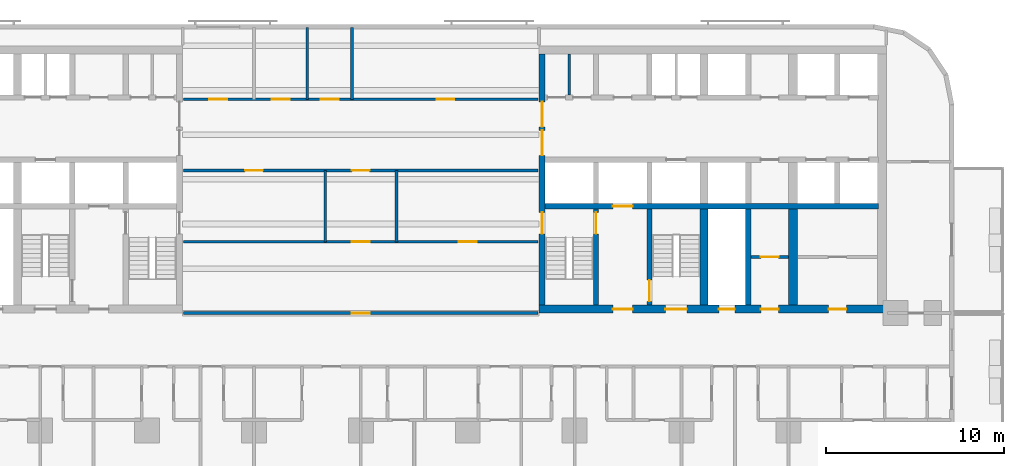
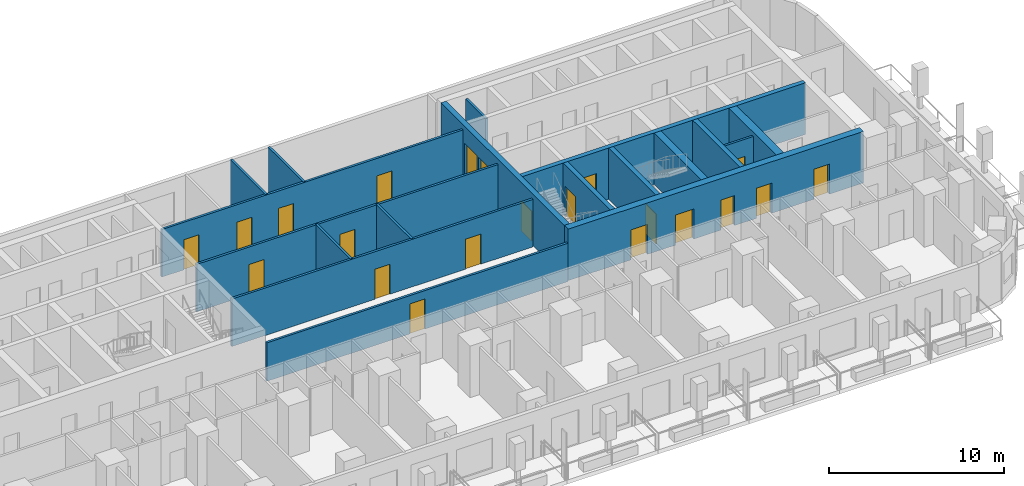
# One storey, part 7 of 15: 21 doors, 18 walls, 21 openings.
"""IFC4 building model written with IfcOpenShell, lengths in metres."""

from ifc_helpers import new_model, si_unit, direction, frame, frame_2d, origin, place, context, subcontext, project, spatial, rectangle, extrude, material, layer, layer_set, type_object, element, fill, save


model = new_model("IFC4")

# Units and contexts
model_context = context("Model", 3, precision=1e-05, world=origin(), true_north=direction((0.0, 1.0)))
body_context = subcontext(model_context, "Body", "Model", "MODEL_VIEW")
ifc_project = project(units=[si_unit("LENGTHUNIT", "METRE"), si_unit("AREAUNIT", "SQUARE_METRE"), si_unit("VOLUMEUNIT", "CUBIC_METRE"), si_unit("PLANEANGLEUNIT", "RADIAN"), si_unit("MASSUNIT", "GRAM", prefix="KILO")], contexts=[model_context])

# Site, building, storey
site_placement = place(None, origin())
site = spatial("IfcSite", under=ifc_project, at=site_placement, CompositionType="ELEMENT")
building_placement = place(site_placement, origin())
building = spatial("IfcBuilding", under=site, at=building_placement, Name="Torana Hotel and Residences", CompositionType="ELEMENT")
storey_placement = place(building_placement, frame((0.0, 0.0, 67.199951171875)))
storey = spatial("IfcBuildingStorey", under=building, at=storey_placement, Name="L16", CompositionType="ELEMENT", Elevation=67.199951171875)

# Wall, opening, door
ifc_material_1 = material(Name="Concrete C80/95", Category="concrete")
ifc_layer_1 = layer(ifc_material_1, 0.300048828125)
ifc_layer_set_1 = layer_set([ifc_layer_1], Name="CORE WALL 300 C80/95")
wall_type_1 = type_object("IfcWallType", Name="CORE WALL 300 C80/95", PredefinedType="SHEAR", material=ifc_layer_set_1)
wall_1_placement = place(storey_placement, frame((10.35009765625, -9.0, 0.0), z_axis=(0.0, 0.0, 1.0), x_axis=(1.0, 0.0, 0.0)))
wall_1 = element("IfcWall", 1, at=wall_1_placement, inside=storey, type_object=wall_type_1, Name="Core wall E band", PredefinedType="SHEAR", context=body_context, shape_type="SweptSolid", body=[
    extrude(rectangle(XDim=18.699951171875, YDim=0.300048828125, at=frame_2d((9.35009765625, 0.0))), origin(), (0.0, 0.0, 1.0), 3.60009765625),
])
opening_1_placement = place(wall_1_placement, frame((3.800048828125, 0.0, 0.0)))
opening_1 = element("IfcOpeningElement", 2, at=opening_1_placement, cuts=wall_1, Name="Opening LD", PredefinedType="OPENING", context=body_context, shape_type="SweptSolid", body=[
    extrude(rectangle(XDim=1.10009765625, YDim=2.10009765625, at=frame_2d((0.550048828125, 1.050048828125))), frame((0.0, 0.159912109375, 0.0), z_axis=(0.0, -1.0, 0.0), x_axis=(1.0, 0.0, 0.0)), (0.0, 0.0, 1.0), 0.320068359375),
])
ifc_material_2 = material(Name="Stainless steel 316", Category="steel")
door_type_1 = type_object("IfcDoorType", Name="LIFT LANDING DOOR LD 1100x2100", OperationType="DOUBLE_DOOR_SLIDING", PredefinedType="USERDEFINED", material=ifc_material_2)
door_1_placement = place(opening_1_placement, origin())
door_1 = element("IfcDoor", 3, at=door_1_placement, inside=storey, type_object=door_type_1, Name="Lift landing door FF2 L16", ObjectType="LIFT LANDING DOOR", OperationType="DOUBLE_DOOR_SLIDING", OverallHeight=2.10009765625, OverallWidth=1.10009765625, PredefinedType="USERDEFINED", context=body_context, shape_type="SweptSolid", body=[
    extrude(rectangle(XDim=1.10009765625, YDim=2.10009765625, at=frame_2d((0.550048828125, 1.050048828125))), frame((0.0, 0.02490234375, 0.0), z_axis=(0.0, -1.0, 0.0), x_axis=(1.0, 0.0, 0.0)), (0.0, 0.0, 1.0), 0.050048828125),
])
fill(opening_1, door_1)

wall_2_placement = place(storey_placement, frame((13.199951171875, -14.550048828125, 0.0), z_axis=(0.0, 0.0, 1.0), x_axis=(0.0, 1.0, 0.0)))
wall_2 = element("IfcWall", 4, at=wall_2_placement, inside=storey, type_object=wall_type_1, Name="Core wall E x3.05-band", PredefinedType="SHEAR", context=body_context, shape_type="SweptSolid", body=[
    extrude(rectangle(XDim=5.400146484375, YDim=0.300048828125, at=frame_2d((2.7001953125, 0.0))), origin(), (0.0, 0.0, 1.0), 3.60009765625),
])
opening_2_placement = place(wall_2_placement, frame((4.0, 0.0, 0.0)))
opening_2 = element("IfcOpeningElement", 5, at=opening_2_placement, cuts=wall_2, Name="Opening L16-33", PredefinedType="OPENING", context=body_context, shape_type="SweptSolid", body=[
    extrude(rectangle(XDim=1.199951171875, YDim=2.10009765625, at=frame_2d((0.60009765625, 1.050048828125))), frame((0.0, 0.159912109375, 0.0), z_axis=(0.0, -1.0, 0.0), x_axis=(1.0, 0.0, 0.0)), (0.0, 0.0, 1.0), 0.320068359375),
])
ifc_material_3 = material(Name="Steel S235", Category="steel")
door_type_2 = type_object("IfcDoorType", Name="STAIR FIRE DOOR D3 1200x2100", OperationType="SINGLE_SWING_LEFT", PredefinedType="DOOR", material=ifc_material_3)
door_2_placement = place(opening_2_placement, origin())
door_2 = element("IfcDoor", 6, at=door_2_placement, inside=storey, type_object=door_type_2, Name="Stair-A-lobby door L16", OperationType="SINGLE_SWING_LEFT", OverallHeight=2.10009765625, OverallWidth=1.199951171875, PredefinedType="DOOR", context=body_context, shape_type="SweptSolid", body=[
    extrude(rectangle(XDim=1.199951171875, YDim=2.10009765625, at=frame_2d((0.60009765625, 1.050048828125))), frame((0.0, 0.02490234375, 0.0), z_axis=(0.0, -1.0, 0.0), x_axis=(1.0, 0.0, 0.0)), (0.0, 0.0, 1.0), 0.050048828125),
])
fill(opening_2, door_2)

wall_3_placement = place(storey_placement, frame((16.199951171875, -14.550048828125, 0.0), z_axis=(0.0, 0.0, 1.0), x_axis=(0.0, 1.0, 0.0)))
wall_3 = element("IfcWall", 7, at=wall_3_placement, inside=storey, type_object=wall_type_1, Name="Core wall E x6.05-band", PredefinedType="SHEAR", context=body_context, shape_type="SweptSolid", body=[
    extrude(rectangle(XDim=5.400146484375, YDim=0.300048828125, at=frame_2d((2.7001953125, 0.0))), origin(), (0.0, 0.0, 1.0), 3.60009765625),
])
opening_3_placement = place(wall_3_placement, frame((0.199951171875, 0.0, 0.0)))
opening_3 = element("IfcOpeningElement", 8, at=opening_3_placement, cuts=wall_3, Name="Opening L16-34", PredefinedType="OPENING", context=body_context, shape_type="SweptSolid", body=[
    extrude(rectangle(XDim=1.199951171875, YDim=2.10009765625, at=frame_2d((0.60009765625, 1.050048828125))), frame((0.0, 0.159912109375, 0.0), z_axis=(0.0, -1.0, 0.0), x_axis=(1.0, 0.0, 0.0)), (0.0, 0.0, 1.0), 0.320068359375),
])
door_3_placement = place(opening_3_placement, frame((0.60009765625, 0.0, 0.0), z_axis=(0.0, 0.0, 1.0), x_axis=(-1.0, 0.0, 0.0)))
door_3 = element("IfcDoor", 9, at=door_3_placement, inside=storey, type_object=door_type_2, Name="Stair-B-lobby door L16", OperationType="SINGLE_SWING_LEFT", OverallHeight=2.10009765625, OverallWidth=1.199951171875, PredefinedType="DOOR", context=body_context, shape_type="SweptSolid", body=[
    extrude(rectangle(XDim=1.199951171875, YDim=2.10009765625, at=frame_2d((0.0, 1.050048828125))), frame((0.0, -0.02490234375, 0.0), z_axis=(0.0, 1.0, 0.0), x_axis=(-1.0, 0.0, 0.0)), (0.0, 0.0, 1.0), 0.050048828125),
])
fill(opening_3, door_3)

# Wall
wall_4_placement = place(storey_placement, frame((21.75, -14.550048828125, 0.0), z_axis=(0.0, 0.0, 1.0), x_axis=(0.0, 1.0, 0.0)))
element("IfcWall", 10, at=wall_4_placement, inside=storey, type_object=wall_type_1, Name="Core wall E mm-band", PredefinedType="SHEAR", context=body_context, shape_type="SweptSolid", body=[
    extrude(rectangle(XDim=5.400146484375, YDim=0.300048828125, at=frame_2d((2.7001953125, 0.0))), origin(), (0.0, 0.0, 1.0), 3.60009765625),
])

# Wall, openings, doors
ifc_material_4 = material(Name="Concrete C80/95", Category="concrete")
ifc_layer_2 = layer(ifc_material_4, 0.35009765625)
ifc_layer_set_2 = layer_set([ifc_layer_2], Name="CORE WALL 350 C80/95")
wall_type_2 = type_object("IfcWallType", Name="CORE WALL 350 C80/95", PredefinedType="SHEAR", material=ifc_layer_set_2)
wall_5_placement = place(storey_placement, frame((10.175048828125, -14.550048828125, 0.0), z_axis=(0.0, 0.0, 1.0), x_axis=(0.0, 1.0, 0.0)))
wall_5 = element("IfcWall", 11, at=wall_5_placement, inside=storey, type_object=wall_type_2, Name="Core wall E arch", PredefinedType="SHEAR", context=body_context, shape_type="SweptSolid", body=[
    extrude(rectangle(XDim=14.10009765625, YDim=0.35009765625, at=frame_2d((7.050048828125, 0.0))), origin(), (0.0, 0.0, 1.0), 3.60009765625),
])
opening_4_placement = place(wall_5_placement, frame((8.39990234375, 0.0, 0.0)))
opening_4 = element("IfcOpeningElement", 12, at=opening_4_placement, cuts=wall_5, Name="Opening L16-18", PredefinedType="OPENING", context=body_context, shape_type="SweptSolid", body=[
    extrude(rectangle(XDim=1.39990234375, YDim=2.39990234375, at=frame_2d((0.699951171875, 1.199951171875))), frame((0.0, 0.18505859375, 0.0), z_axis=(0.0, -1.0, 0.0), x_axis=(1.0, 0.0, 0.0)), (0.0, 0.0, 1.0), 0.3701171875),
])
opening_5_placement = place(wall_5_placement, frame((10.0, 0.0, 0.0)))
opening_5 = element("IfcOpeningElement", 13, at=opening_5_placement, cuts=wall_5, Name="Opening L16-19", PredefinedType="OPENING", context=body_context, shape_type="SweptSolid", body=[
    extrude(rectangle(XDim=1.39990234375, YDim=2.39990234375, at=frame_2d((0.699951171875, 1.199951171875))), frame((0.0, 0.18505859375, 0.0), z_axis=(0.0, -1.0, 0.0), x_axis=(1.0, 0.0, 0.0)), (0.0, 0.0, 1.0), 0.3701171875),
])
opening_6_placement = place(wall_5_placement, frame((4.0, 0.0, 0.0)))
opening_6 = element("IfcOpeningElement", 14, at=opening_6_placement, cuts=wall_5, Name="Opening L16-20", PredefinedType="OPENING", context=body_context, shape_type="SweptSolid", body=[
    extrude(rectangle(XDim=1.199951171875, YDim=2.10009765625, at=frame_2d((0.60009765625, 1.050048828125))), frame((0.0, 0.18505859375, 0.0), z_axis=(0.0, -1.0, 0.0), x_axis=(1.0, 0.0, 0.0)), (0.0, 0.0, 1.0), 0.3701171875),
])
ifc_material_5 = material(Name="Steel S235", Category="steel")
door_type_3 = type_object("IfcDoorType", Name="LOBBY FIRE DOOR D4 1400x2400", OperationType="DOUBLE_DOOR_SINGLE_SWING", PredefinedType="DOOR", material=ifc_material_5)
door_4_placement = place(opening_4_placement, origin())
door_4 = element("IfcDoor", 15, at=door_4_placement, inside=storey, type_object=door_type_3, Name="Lobby-1 door L16", OperationType="DOUBLE_DOOR_SINGLE_SWING", OverallHeight=2.39990234375, OverallWidth=1.39990234375, PredefinedType="DOOR", context=body_context, shape_type="SweptSolid", body=[
    extrude(rectangle(XDim=1.39990234375, YDim=2.39990234375, at=frame_2d((0.699951171875, 1.199951171875))), frame((0.0, 0.02490234375, 0.0), z_axis=(0.0, -1.0, 0.0), x_axis=(1.0, 0.0, 0.0)), (0.0, 0.0, 1.0), 0.050048828125),
])
fill(opening_4, door_4)
door_5_placement = place(opening_5_placement, origin())
door_5 = element("IfcDoor", 16, at=door_5_placement, inside=storey, type_object=door_type_3, Name="Lobby-2 door L16", OperationType="DOUBLE_DOOR_SINGLE_SWING", OverallHeight=2.39990234375, OverallWidth=1.39990234375, PredefinedType="DOOR", context=body_context, shape_type="SweptSolid", body=[
    extrude(rectangle(XDim=1.39990234375, YDim=2.39990234375, at=frame_2d((0.699951171875, 1.199951171875))), frame((0.0, 0.02490234375, 0.0), z_axis=(0.0, -1.0, 0.0), x_axis=(1.0, 0.0, 0.0)), (0.0, 0.0, 1.0), 0.050048828125),
])
fill(opening_5, door_5)
door_6_placement = place(opening_6_placement, frame((0.60009765625, 0.0, 0.0), z_axis=(0.0, 0.0, 1.0), x_axis=(-1.0, 0.0, 0.0)))
door_6 = element("IfcDoor", 17, at=door_6_placement, inside=storey, type_object=door_type_2, Name="Stair-A door L16", OperationType="SINGLE_SWING_RIGHT", OverallHeight=2.10009765625, OverallWidth=1.199951171875, PredefinedType="DOOR", context=body_context, shape_type="SweptSolid", body=[
    extrude(rectangle(XDim=1.199951171875, YDim=2.10009765625, at=frame_2d((0.0, 1.050048828125))), frame((0.0, -0.02490234375, 0.0), z_axis=(0.0, 1.0, 0.0), x_axis=(-1.0, 0.0, 0.0)), (0.0, 0.0, 1.0), 0.050048828125),
])
fill(opening_6, door_6)

ifc_material_6 = material(Name="Concrete C80/95", Category="concrete")
ifc_layer_3 = layer(ifc_material_6, 0.449951171875)
ifc_layer_set_3 = layer_set([ifc_layer_3], Name="CORE WALL 450 C80/95")
wall_type_3 = type_object("IfcWallType", Name="CORE WALL 450 C80/95", PredefinedType="SHEAR", material=ifc_layer_set_3)
wall_6_placement = place(storey_placement, frame((10.0, -14.77490234375, 0.0), z_axis=(0.0, 0.0, 1.0), x_axis=(1.0, 0.0, 0.0)))
wall_6 = element("IfcWall", 18, at=wall_6_placement, inside=storey, type_object=wall_type_3, Name="Core wall E front", PredefinedType="SHEAR", context=body_context, shape_type="SweptSolid", body=[
    extrude(rectangle(XDim=19.5, YDim=0.449951171875, at=frame_2d((9.75, 0.0))), origin(), (0.0, 0.0, 1.0), 3.60009765625),
])
opening_7_placement = place(wall_6_placement, frame((7.10009765625, 0.0, 0.0)))
opening_7 = element("IfcOpeningElement", 19, at=opening_7_placement, cuts=wall_6, Name="Opening L16-21", PredefinedType="OPENING", context=body_context, shape_type="SweptSolid", body=[
    extrude(rectangle(XDim=1.199951171875, YDim=2.10009765625, at=frame_2d((0.60009765625, 1.050048828125))), frame((0.0, 0.23486328125, 0.0), z_axis=(0.0, -1.0, 0.0), x_axis=(1.0, 0.0, 0.0)), (0.0, 0.0, 1.0), 0.469970703125),
])
opening_8_placement = place(wall_6_placement, frame((4.14990234375, 0.0, 0.0)))
opening_8 = element("IfcOpeningElement", 20, at=opening_8_placement, cuts=wall_6, Name="Opening L16-22", PredefinedType="OPENING", context=body_context, shape_type="SweptSolid", body=[
    extrude(rectangle(XDim=1.10009765625, YDim=2.10009765625, at=frame_2d((0.550048828125, 1.050048828125))), frame((0.0, 0.23486328125, 0.0), z_axis=(0.0, -1.0, 0.0), x_axis=(1.0, 0.0, 0.0)), (0.0, 0.0, 1.0), 0.469970703125),
])
opening_9_placement = place(wall_6_placement, frame((10.10009765625, 0.0, 0.0)))
opening_9 = element("IfcOpeningElement", 21, at=opening_9_placement, cuts=wall_6, Name="Opening L16-23", PredefinedType="OPENING", context=body_context, shape_type="SweptSolid", body=[
    extrude(rectangle(XDim=0.89990234375, YDim=2.10009765625, at=frame_2d((0.449951171875, 1.050048828125))), frame((0.0, 0.23486328125, 0.0), z_axis=(0.0, -1.0, 0.0), x_axis=(1.0, 0.0, 0.0)), (0.0, 0.0, 1.0), 0.469970703125),
])
opening_10_placement = place(wall_6_placement, frame((12.449951171875, 0.0, 0.0)))
opening_10 = element("IfcOpeningElement", 22, at=opening_10_placement, cuts=wall_6, Name="Opening L16-24", PredefinedType="OPENING", context=body_context, shape_type="SweptSolid", body=[
    extrude(rectangle(XDim=1.0, YDim=2.10009765625, at=frame_2d((0.5, 1.050048828125))), frame((0.0, 0.23486328125, 0.0), z_axis=(0.0, -1.0, 0.0), x_axis=(1.0, 0.0, 0.0)), (0.0, 0.0, 1.0), 0.469970703125),
])
opening_11_placement = place(wall_6_placement, frame((16.25, 0.0, 0.0)))
opening_11 = element("IfcOpeningElement", 23, at=opening_11_placement, cuts=wall_6, Name="Opening L16-25", PredefinedType="OPENING", context=body_context, shape_type="SweptSolid", body=[
    extrude(rectangle(XDim=1.0, YDim=2.10009765625, at=frame_2d((0.5, 1.050048828125))), frame((0.0, 0.23486328125, 0.0), z_axis=(0.0, -1.0, 0.0), x_axis=(1.0, 0.0, 0.0)), (0.0, 0.0, 1.0), 0.469970703125),
])
ifc_material_7 = material(Name="Steel S235", Category="steel")
door_type_4 = type_object("IfcDoorType", Name="CORE ROOM FIRE DOOR D14 1000x2100", OperationType="SINGLE_SWING_LEFT", PredefinedType="DOOR", material=ifc_material_7)
door_7_placement = place(opening_10_placement, origin())
door_7 = element("IfcDoor", 24, at=door_7_placement, inside=storey, type_object=door_type_4, Name="M-Room-B door L16", OperationType="SINGLE_SWING_RIGHT", OverallHeight=2.10009765625, OverallWidth=1.0, PredefinedType="DOOR", context=body_context, shape_type="SweptSolid", body=[
    extrude(rectangle(XDim=1.0, YDim=2.10009765625, at=frame_2d((0.5, 1.050048828125))), frame((0.0, 0.02490234375, 0.0), z_axis=(0.0, -1.0, 0.0), x_axis=(1.0, 0.0, 0.0)), (0.0, 0.0, 1.0), 0.050048828125),
])
fill(opening_10, door_7)
door_8_placement = place(opening_11_placement, origin())
door_8 = element("IfcDoor", 25, at=door_8_placement, inside=storey, type_object=door_type_4, Name="L-B door L16", OperationType="SINGLE_SWING_RIGHT", OverallHeight=2.10009765625, OverallWidth=1.0, PredefinedType="DOOR", context=body_context, shape_type="SweptSolid", body=[
    extrude(rectangle(XDim=1.0, YDim=2.10009765625, at=frame_2d((0.5, 1.050048828125))), frame((0.0, 0.02490234375, 0.0), z_axis=(0.0, -1.0, 0.0), x_axis=(1.0, 0.0, 0.0)), (0.0, 0.0, 1.0), 0.050048828125),
])
fill(opening_11, door_8)
ifc_material_8 = material(Name="Steel S235", Category="steel")
door_type_5 = type_object("IfcDoorType", Name="FIRE-FIGHTING LOBBY DOOR D8 1100x2100", OperationType="SINGLE_SWING_LEFT", PredefinedType="DOOR", material=ifc_material_8)
door_9_placement = place(opening_8_placement, origin())
door_9 = element("IfcDoor", 26, at=door_9_placement, inside=storey, type_object=door_type_5, Name="FF-lobby door L16", OperationType="SINGLE_SWING_RIGHT", OverallHeight=2.10009765625, OverallWidth=1.10009765625, PredefinedType="DOOR", context=body_context, shape_type="SweptSolid", body=[
    extrude(rectangle(XDim=1.10009765625, YDim=2.10009765625, at=frame_2d((0.550048828125, 1.050048828125))), frame((0.0, 0.02490234375, 0.0), z_axis=(0.0, -1.0, 0.0), x_axis=(1.0, 0.0, 0.0)), (0.0, 0.0, 1.0), 0.050048828125),
])
fill(opening_8, door_9)
ifc_material_9 = material(Name="Steel S235", Category="steel")
door_type_6 = type_object("IfcDoorType", Name="RISER ACCESS DOOR D5 900x2100", OperationType="SINGLE_SWING_LEFT", PredefinedType="DOOR", material=ifc_material_9)
door_10_placement = place(opening_9_placement, origin())
door_10 = element("IfcDoor", 27, at=door_10_placement, inside=storey, type_object=door_type_6, Name="M-Riser door L16", OperationType="SINGLE_SWING_RIGHT", OverallHeight=2.10009765625, OverallWidth=0.89990234375, PredefinedType="DOOR", context=body_context, shape_type="SweptSolid", body=[
    extrude(rectangle(XDim=0.89990234375, YDim=2.10009765625, at=frame_2d((0.449951171875, 1.050048828125))), frame((0.0, 0.02490234375, 0.0), z_axis=(0.0, -1.0, 0.0), x_axis=(1.0, 0.0, 0.0)), (0.0, 0.0, 1.0), 0.050048828125),
])
fill(opening_9, door_10)
door_11_placement = place(opening_7_placement, origin())
door_11 = element("IfcDoor", 28, at=door_11_placement, inside=storey, type_object=door_type_2, Name="Stair-B door L16", OperationType="SINGLE_SWING_RIGHT", OverallHeight=2.10009765625, OverallWidth=1.199951171875, PredefinedType="DOOR", context=body_context, shape_type="SweptSolid", body=[
    extrude(rectangle(XDim=1.199951171875, YDim=2.10009765625, at=frame_2d((0.60009765625, 1.050048828125))), frame((0.0, 0.02490234375, 0.0), z_axis=(0.0, -1.0, 0.0), x_axis=(1.0, 0.0, 0.0)), (0.0, 0.0, 1.0), 0.050048828125),
])
fill(opening_7, door_11)

# Walls
wall_7_placement = place(storey_placement, frame((19.27490234375, -14.550048828125, 0.0), z_axis=(0.0, 0.0, 1.0), x_axis=(0.0, 1.0, 0.0)))
element("IfcWall", 29, at=wall_7_placement, inside=storey, type_object=wall_type_3, Name="Core wall E hm-band", PredefinedType="SHEAR", context=body_context, shape_type="SweptSolid", body=[
    extrude(rectangle(XDim=5.400146484375, YDim=0.449951171875, at=frame_2d((2.7001953125, 0.0))), origin(), (0.0, 0.0, 1.0), 3.60009765625),
])
ifc_material_10 = material(Name="Concrete C80/95", Category="concrete")
ifc_layer_4 = layer(ifc_material_10, 0.5)
ifc_layer_set_4 = layer_set([ifc_layer_4], Name="CORE WALL 500 C80/95")
wall_type_4 = type_object("IfcWallType", Name="CORE WALL 500 C80/95", PredefinedType="SHEAR", material=ifc_layer_set_4)
wall_8_placement = place(storey_placement, frame((24.25, -14.550048828125, 0.0), z_axis=(0.0, 0.0, 1.0), x_axis=(0.0, 1.0, 0.0)))
element("IfcWall", 30, at=wall_8_placement, inside=storey, type_object=wall_type_4, Name="Core wall E ml-band", PredefinedType="SHEAR", context=body_context, shape_type="SweptSolid", body=[
    extrude(rectangle(XDim=5.400146484375, YDim=0.5, at=frame_2d((2.7001953125, 0.0))), origin(), (0.0, 0.0, 1.0), 3.60009765625),
])
ifc_material_11 = material(Name="Gypsum plaster")
ifc_layer_5 = layer(ifc_material_11, 0.014892578125, Name="Plaster", Category="finish")
ifc_material_12 = material(Name="Concrete blockwork", Category="masonry")
ifc_layer_6 = layer(ifc_material_12, 0.1201171875, Name="Blockwork", Category="structure")
ifc_layer_7 = layer(ifc_material_11, 0.014892578125, Name="Plaster", Category="finish")
ifc_layer_set_5 = layer_set([ifc_layer_5, ifc_layer_6, ifc_layer_7], Name="FIRE PARTITION 150 BLOCKWORK")
wall_type_5 = type_object("IfcWallType", Name="FIRE PARTITION 150 BLOCKWORK", PredefinedType="PARTITIONING", material=ifc_layer_set_5)
wall_9_placement = place(storey_placement, frame((11.699951171875, -2.75, 0.0), z_axis=(0.0, 0.0, 1.0), x_axis=(0.0, 1.0, 0.0)))
element("IfcWall", 31, at=wall_9_placement, inside=storey, type_object=wall_type_5, Name="Core partition L16", PredefinedType="PARTITIONING", context=body_context, shape_type="SweptSolid", body=[
    extrude(rectangle(XDim=2.300048828125, YDim=0.14990234375, at=frame_2d((1.14990234375, 0.0))), origin(), (0.0, 0.0, 1.0), 3.300048828125),
])

# Wall, opening, door
wall_10_placement = place(storey_placement, frame((21.89990234375, -11.85009765625, 0.0), z_axis=(0.0, 0.0, 1.0), x_axis=(1.0, 0.0, 0.0)))
wall_10 = element("IfcWall", 32, at=wall_10_placement, inside=storey, type_object=wall_type_5, Name="Core partition L16", PredefinedType="PARTITIONING", context=body_context, shape_type="SweptSolid", body=[
    extrude(rectangle(XDim=2.10009765625, YDim=0.14990234375, at=frame_2d((1.050048828125, 0.0))), origin(), (0.0, 0.0, 1.0), 3.300048828125),
])
opening_12_placement = place(wall_10_placement, frame((0.550048828125, 0.0, 0.0)))
opening_12 = element("IfcOpeningElement", 33, at=opening_12_placement, cuts=wall_10, Name="Opening L16-37", PredefinedType="OPENING", context=body_context, shape_type="SweptSolid", body=[
    extrude(rectangle(XDim=1.0, YDim=2.10009765625, at=frame_2d((0.5, 1.050048828125))), frame((0.0, 0.0849609375, 0.0), z_axis=(0.0, -1.0, 0.0), x_axis=(1.0, 0.0, 0.0)), (0.0, 0.0, 1.0), 0.169921875),
])
door_12_placement = place(opening_12_placement, origin())
door_12 = element("IfcDoor", 34, at=door_12_placement, inside=storey, type_object=door_type_4, Name="Plant room door L16", OperationType="SINGLE_SWING_RIGHT", OverallHeight=2.10009765625, OverallWidth=1.0, PredefinedType="DOOR", context=body_context, shape_type="SweptSolid", body=[
    extrude(rectangle(XDim=1.0, YDim=2.10009765625, at=frame_2d((0.5, 1.050048828125))), frame((0.0, 0.02490234375, 0.0), z_axis=(0.0, -1.0, 0.0), x_axis=(1.0, 0.0, 0.0)), (0.0, 0.0, 1.0), 0.050048828125),
])
fill(opening_12, door_12)

# Walls
for number, where, z_axis, x_axis, name in (
    (35, (2.0, -11.0, 0.0), (0.0, 0.0, 1.0), (0.0, 1.0, 0.0), "Partition L16"),
    (36, (-2.0, -11.0, 0.0), (0.0, 0.0, 1.0), (0.0, 1.0, 0.0), "Partition L16"),
):
    element("IfcWall", number, at=place(storey_placement, frame(where, z_axis=z_axis, x_axis=x_axis)), inside=storey, type_object=wall_type_5, Name=name, PredefinedType="PARTITIONING", context=body_context, shape_type="SweptSolid", body=[
        extrude(rectangle(XDim=4.0, YDim=0.14990234375, at=frame_2d((2.0, 0.0))), origin(), (0.0, 0.0, 1.0), 3.320068359375),
    ])

# Wall, opening, door
wall_11_placement = place(storey_placement, frame((-9.949951171875, -15.0, 0.0), z_axis=(0.0, 0.0, 1.0), x_axis=(1.0, 0.0, 0.0)))
wall_11 = element("IfcWall", 37, at=wall_11_placement, inside=storey, type_object=wall_type_5, Name="Partition L16", PredefinedType="PARTITIONING", context=body_context, shape_type="SweptSolid", body=[
    extrude(rectangle(XDim=19.89990234375, YDim=0.14990234375, at=frame_2d((9.949951171875, 0.0))), origin(), (0.0, 0.0, 1.0), 2.68408203125),
])
opening_13_placement = place(wall_11_placement, frame((9.449951171875, 0.0, 0.0)))
opening_13 = element("IfcOpeningElement", 38, at=opening_13_placement, cuts=wall_11, Name="Opening L16-39", PredefinedType="OPENING", context=body_context, shape_type="SweptSolid", body=[
    extrude(rectangle(XDim=1.0, YDim=2.10009765625, at=frame_2d((0.5, 1.050048828125))), frame((0.0, 0.0849609375, 0.0), z_axis=(0.0, -1.0, 0.0), x_axis=(1.0, 0.0, 0.0)), (0.0, 0.0, 1.0), 0.169921875),
])
ifc_material_13 = material(Name="Steel S235", Category="steel")
door_type_7 = type_object("IfcDoorType", Name="ENTRY FIRE DOOR D6 1000x2100", OperationType="SINGLE_SWING_LEFT", PredefinedType="DOOR", material=ifc_material_13)
door_13_placement = place(opening_13_placement, origin())
door_13 = element("IfcDoor", 39, at=door_13_placement, inside=storey, type_object=door_type_7, Name="Door L16", OperationType="SINGLE_SWING_RIGHT", OverallHeight=2.10009765625, OverallWidth=1.0, PredefinedType="DOOR", context=body_context, shape_type="SweptSolid", body=[
    extrude(rectangle(XDim=1.0, YDim=2.10009765625, at=frame_2d((0.5, 1.050048828125))), frame((0.0, 0.02490234375, 0.0), z_axis=(0.0, -1.0, 0.0), x_axis=(1.0, 0.0, 0.0)), (0.0, 0.0, 1.0), 0.050048828125),
])
fill(opening_13, door_13)

# Wall, openings, doors
wall_12_placement = place(storey_placement, frame((-9.949951171875, -11.0, 0.0), z_axis=(0.0, 0.0, 1.0), x_axis=(1.0, 0.0, 0.0)))
wall_12 = element("IfcWall", 40, at=wall_12_placement, inside=storey, type_object=wall_type_5, Name="Partition L16", PredefinedType="PARTITIONING", context=body_context, shape_type="SweptSolid", body=[
    extrude(rectangle(XDim=19.89990234375, YDim=0.14990234375, at=frame_2d((9.949951171875, 0.0))), origin(), (0.0, 0.0, 1.0), 3.320068359375),
])
opening_14_placement = place(wall_12_placement, frame((9.449951171875, 0.0, 0.0)))
opening_14 = element("IfcOpeningElement", 41, at=opening_14_placement, cuts=wall_12, Name="Opening L16-53", PredefinedType="OPENING", context=body_context, shape_type="SweptSolid", body=[
    extrude(rectangle(XDim=1.0, YDim=2.10009765625, at=frame_2d((0.5, 1.050048828125))), frame((0.0, 0.0849609375, 0.0), z_axis=(0.0, -1.0, 0.0), x_axis=(1.0, 0.0, 0.0)), (0.0, 0.0, 1.0), 0.169921875),
])
opening_15_placement = place(wall_12_placement, frame((15.449951171875, 0.0, 0.0)))
opening_15 = element("IfcOpeningElement", 42, at=opening_15_placement, cuts=wall_12, Name="Opening L16-54", PredefinedType="OPENING", context=body_context, shape_type="SweptSolid", body=[
    extrude(rectangle(XDim=1.0, YDim=2.10009765625, at=frame_2d((0.5, 1.050048828125))), frame((0.0, 0.0849609375, 0.0), z_axis=(0.0, -1.0, 0.0), x_axis=(1.0, 0.0, 0.0)), (0.0, 0.0, 1.0), 0.169921875),
])
door_14_placement = place(opening_14_placement, origin())
door_14 = element("IfcDoor", 43, at=door_14_placement, inside=storey, type_object=door_type_7, Name="Door L16", OperationType="SINGLE_SWING_RIGHT", OverallHeight=2.10009765625, OverallWidth=1.0, PredefinedType="DOOR", context=body_context, shape_type="SweptSolid", body=[
    extrude(rectangle(XDim=1.0, YDim=2.10009765625, at=frame_2d((0.5, 1.050048828125))), frame((0.0, 0.02490234375, 0.0), z_axis=(0.0, -1.0, 0.0), x_axis=(1.0, 0.0, 0.0)), (0.0, 0.0, 1.0), 0.050048828125),
])
fill(opening_14, door_14)
door_15_placement = place(opening_15_placement, origin())
door_15 = element("IfcDoor", 44, at=door_15_placement, inside=storey, type_object=door_type_7, Name="Door L16", OperationType="SINGLE_SWING_RIGHT", OverallHeight=2.10009765625, OverallWidth=1.0, PredefinedType="DOOR", context=body_context, shape_type="SweptSolid", body=[
    extrude(rectangle(XDim=1.0, YDim=2.10009765625, at=frame_2d((0.5, 1.050048828125))), frame((0.0, 0.02490234375, 0.0), z_axis=(0.0, -1.0, 0.0), x_axis=(1.0, 0.0, 0.0)), (0.0, 0.0, 1.0), 0.050048828125),
])
fill(opening_15, door_15)

wall_13_placement = place(storey_placement, frame((-9.949951171875, -7.0, 0.0), z_axis=(0.0, 0.0, 1.0), x_axis=(1.0, 0.0, 0.0)))
wall_13 = element("IfcWall", 45, at=wall_13_placement, inside=storey, type_object=wall_type_5, Name="Partition L16", PredefinedType="PARTITIONING", context=body_context, shape_type="SweptSolid", body=[
    extrude(rectangle(XDim=19.89990234375, YDim=0.14990234375, at=frame_2d((9.949951171875, 0.0))), origin(), (0.0, 0.0, 1.0), 3.320068359375),
])
opening_16_placement = place(wall_13_placement, frame((9.449951171875, 0.0, 0.0)))
opening_16 = element("IfcOpeningElement", 46, at=opening_16_placement, cuts=wall_13, Name="Opening L16-55", PredefinedType="OPENING", context=body_context, shape_type="SweptSolid", body=[
    extrude(rectangle(XDim=1.0, YDim=2.10009765625, at=frame_2d((0.5, 1.050048828125))), frame((0.0, 0.0849609375, 0.0), z_axis=(0.0, -1.0, 0.0), x_axis=(1.0, 0.0, 0.0)), (0.0, 0.0, 1.0), 0.169921875),
])
opening_17_placement = place(wall_13_placement, frame((3.449951171875, 0.0, 0.0)))
opening_17 = element("IfcOpeningElement", 47, at=opening_17_placement, cuts=wall_13, Name="Opening L16-56", PredefinedType="OPENING", context=body_context, shape_type="SweptSolid", body=[
    extrude(rectangle(XDim=1.0, YDim=2.10009765625, at=frame_2d((0.5, 1.050048828125))), frame((0.0, 0.0849609375, 0.0), z_axis=(0.0, -1.0, 0.0), x_axis=(1.0, 0.0, 0.0)), (0.0, 0.0, 1.0), 0.169921875),
])
door_16_placement = place(opening_16_placement, origin())
door_16 = element("IfcDoor", 48, at=door_16_placement, inside=storey, type_object=door_type_7, Name="Door L16", OperationType="SINGLE_SWING_RIGHT", OverallHeight=2.10009765625, OverallWidth=1.0, PredefinedType="DOOR", context=body_context, shape_type="SweptSolid", body=[
    extrude(rectangle(XDim=1.0, YDim=2.10009765625, at=frame_2d((0.5, 1.050048828125))), frame((0.0, 0.02490234375, 0.0), z_axis=(0.0, -1.0, 0.0), x_axis=(1.0, 0.0, 0.0)), (0.0, 0.0, 1.0), 0.050048828125),
])
fill(opening_16, door_16)
door_17_placement = place(opening_17_placement, frame((0.5, 0.0, 0.0), z_axis=(0.0, 0.0, 1.0), x_axis=(-1.0, 0.0, 0.0)))
door_17 = element("IfcDoor", 49, at=door_17_placement, inside=storey, type_object=door_type_7, Name="Door L16", OperationType="SINGLE_SWING_LEFT", OverallHeight=2.10009765625, OverallWidth=1.0, PredefinedType="DOOR", context=body_context, shape_type="SweptSolid", body=[
    extrude(rectangle(XDim=1.0, YDim=2.10009765625, at=frame_2d((0.0, 1.050048828125))), frame((0.0, -0.02490234375, 0.0), z_axis=(0.0, 1.0, 0.0), x_axis=(-1.0, 0.0, 0.0)), (0.0, 0.0, 1.0), 0.050048828125),
])
fill(opening_17, door_17)

wall_14_placement = place(storey_placement, frame((-9.949951171875, -3.0, 0.0), z_axis=(0.0, 0.0, 1.0), x_axis=(1.0, 0.0, 0.0)))
wall_14 = element("IfcWall", 50, at=wall_14_placement, inside=storey, type_object=wall_type_5, Name="Partition L16", PredefinedType="PARTITIONING", context=body_context, shape_type="SweptSolid", body=[
    extrude(rectangle(XDim=19.89990234375, YDim=0.14990234375, at=frame_2d((9.949951171875, 0.0))), origin(), (0.0, 0.0, 1.0), 3.320068359375),
])
opening_18_placement = place(wall_14_placement, frame((1.449951171875, 0.0, 0.0)))
opening_18 = element("IfcOpeningElement", 51, at=opening_18_placement, cuts=wall_14, Name="Opening L16-57", PredefinedType="OPENING", context=body_context, shape_type="SweptSolid", body=[
    extrude(rectangle(XDim=1.0, YDim=2.10009765625, at=frame_2d((0.5, 1.050048828125))), frame((0.0, 0.0849609375, 0.0), z_axis=(0.0, -1.0, 0.0), x_axis=(1.0, 0.0, 0.0)), (0.0, 0.0, 1.0), 0.169921875),
])
opening_19_placement = place(wall_14_placement, frame((4.949951171875, 0.0, 0.0)))
opening_19 = element("IfcOpeningElement", 52, at=opening_19_placement, cuts=wall_14, Name="Opening L16-58", PredefinedType="OPENING", context=body_context, shape_type="SweptSolid", body=[
    extrude(rectangle(XDim=1.0, YDim=2.10009765625, at=frame_2d((0.5, 1.050048828125))), frame((0.0, 0.0849609375, 0.0), z_axis=(0.0, -1.0, 0.0), x_axis=(1.0, 0.0, 0.0)), (0.0, 0.0, 1.0), 0.169921875),
])
opening_20_placement = place(wall_14_placement, frame((7.699951171875, 0.0, 0.0)))
opening_20 = element("IfcOpeningElement", 53, at=opening_20_placement, cuts=wall_14, Name="Opening L16-59", PredefinedType="OPENING", context=body_context, shape_type="SweptSolid", body=[
    extrude(rectangle(XDim=1.0, YDim=2.10009765625, at=frame_2d((0.5, 1.050048828125))), frame((0.0, 0.0849609375, 0.0), z_axis=(0.0, -1.0, 0.0), x_axis=(1.0, 0.0, 0.0)), (0.0, 0.0, 1.0), 0.169921875),
])
opening_21_placement = place(wall_14_placement, frame((14.199951171875, 0.0, 0.0)))
opening_21 = element("IfcOpeningElement", 54, at=opening_21_placement, cuts=wall_14, Name="Opening L16-60", PredefinedType="OPENING", context=body_context, shape_type="SweptSolid", body=[
    extrude(rectangle(XDim=1.0, YDim=2.10009765625, at=frame_2d((0.5, 1.050048828125))), frame((0.0, 0.0849609375, 0.0), z_axis=(0.0, -1.0, 0.0), x_axis=(1.0, 0.0, 0.0)), (0.0, 0.0, 1.0), 0.169921875),
])
door_18_placement = place(opening_18_placement, origin())
door_18 = element("IfcDoor", 55, at=door_18_placement, inside=storey, type_object=door_type_7, Name="Door L16", OperationType="SINGLE_SWING_RIGHT", OverallHeight=2.10009765625, OverallWidth=1.0, PredefinedType="DOOR", context=body_context, shape_type="SweptSolid", body=[
    extrude(rectangle(XDim=1.0, YDim=2.10009765625, at=frame_2d((0.5, 1.050048828125))), frame((0.0, 0.02490234375, 0.0), z_axis=(0.0, -1.0, 0.0), x_axis=(1.0, 0.0, 0.0)), (0.0, 0.0, 1.0), 0.050048828125),
])
fill(opening_18, door_18)
door_19_placement = place(opening_19_placement, origin())
door_19 = element("IfcDoor", 56, at=door_19_placement, inside=storey, type_object=door_type_7, Name="Door L16", OperationType="SINGLE_SWING_RIGHT", OverallHeight=2.10009765625, OverallWidth=1.0, PredefinedType="DOOR", context=body_context, shape_type="SweptSolid", body=[
    extrude(rectangle(XDim=1.0, YDim=2.10009765625, at=frame_2d((0.5, 1.050048828125))), frame((0.0, 0.02490234375, 0.0), z_axis=(0.0, -1.0, 0.0), x_axis=(1.0, 0.0, 0.0)), (0.0, 0.0, 1.0), 0.050048828125),
])
fill(opening_19, door_19)
door_20_placement = place(opening_20_placement, origin())
door_20 = element("IfcDoor", 57, at=door_20_placement, inside=storey, type_object=door_type_7, Name="Door L16", OperationType="SINGLE_SWING_RIGHT", OverallHeight=2.10009765625, OverallWidth=1.0, PredefinedType="DOOR", context=body_context, shape_type="SweptSolid", body=[
    extrude(rectangle(XDim=1.0, YDim=2.10009765625, at=frame_2d((0.5, 1.050048828125))), frame((0.0, 0.02490234375, 0.0), z_axis=(0.0, -1.0, 0.0), x_axis=(1.0, 0.0, 0.0)), (0.0, 0.0, 1.0), 0.050048828125),
])
fill(opening_20, door_20)
door_21_placement = place(opening_21_placement, origin())
door_21 = element("IfcDoor", 58, at=door_21_placement, inside=storey, type_object=door_type_7, Name="Door L16", OperationType="SINGLE_SWING_RIGHT", OverallHeight=2.10009765625, OverallWidth=1.0, PredefinedType="DOOR", context=body_context, shape_type="SweptSolid", body=[
    extrude(rectangle(XDim=1.0, YDim=2.10009765625, at=frame_2d((0.5, 1.050048828125))), frame((0.0, 0.02490234375, 0.0), z_axis=(0.0, -1.0, 0.0), x_axis=(1.0, 0.0, 0.0)), (0.0, 0.0, 1.0), 0.050048828125),
])
fill(opening_21, door_21)

# Walls
ifc_material_14 = material(Name="Ceramic tile on adhesive")
ifc_layer_8 = layer(ifc_material_14, 0.010009765625, Name="Wall tile", Category="finish")
ifc_material_15 = material(Name="Cement render")
ifc_layer_9 = layer(ifc_material_15, 0.010009765625, Name="Render", Category="finish")
ifc_layer_10 = layer(ifc_material_12, 0.110107421875, Name="Blockwork", Category="structure")
ifc_layer_11 = layer(ifc_material_15, 0.010009765625, Name="Render", Category="finish")
ifc_layer_12 = layer(ifc_material_14, 0.010009765625, Name="Wall tile", Category="finish")
ifc_layer_set_6 = layer_set([ifc_layer_8, ifc_layer_9, ifc_layer_10, ifc_layer_11, ifc_layer_12], Name="WC PARTITION 150")
wall_type_6 = type_object("IfcWallType", Name="WC PARTITION 150", PredefinedType="PLUMBINGWALL", material=ifc_layer_set_6)
for number, where, z_axis, x_axis, name in (
    (59, (-0.5, -3.0, 0.0), (0.0, 0.0, 1.0), (0.0, 1.0, 0.0), "Partition L16"),
    (60, (-3.0, -3.0, 0.0), (0.0, 0.0, 1.0), (0.0, 1.0, 0.0), "Partition L16"),
):
    element("IfcWall", number, at=place(storey_placement, frame(where, z_axis=z_axis, x_axis=x_axis)), inside=storey, type_object=wall_type_6, Name=name, PredefinedType="PLUMBINGWALL", context=body_context, shape_type="SweptSolid", body=[
        extrude(rectangle(XDim=4.02001953125, YDim=0.14990234375, at=frame_2d((2.010009765625, 0.0))), origin(), (0.0, 0.0, 1.0), 3.320068359375),
    ])

save(model, "model.ifc")
